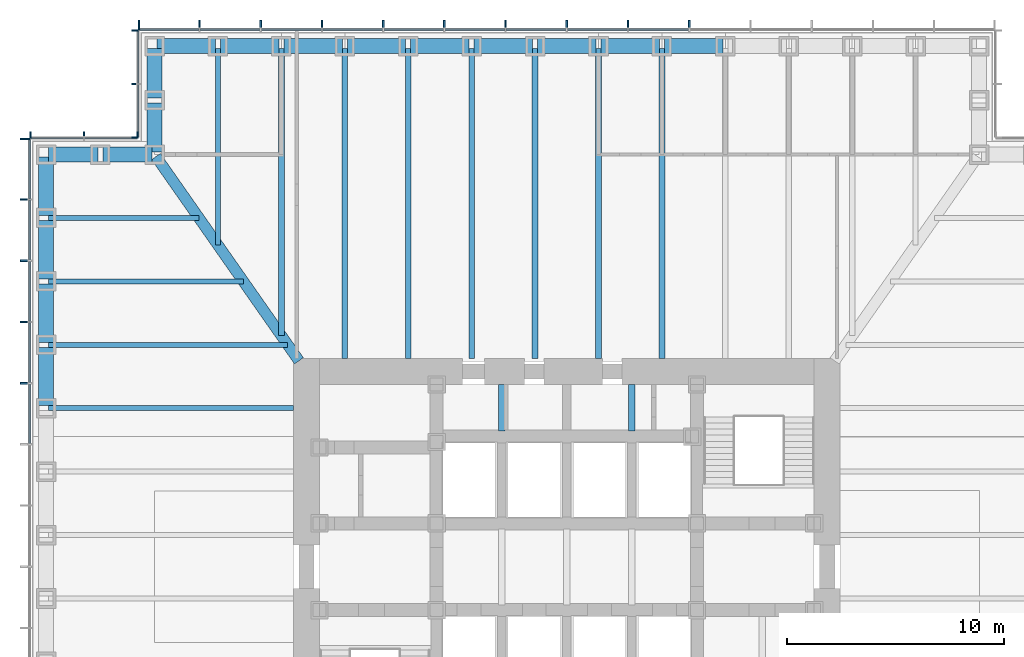
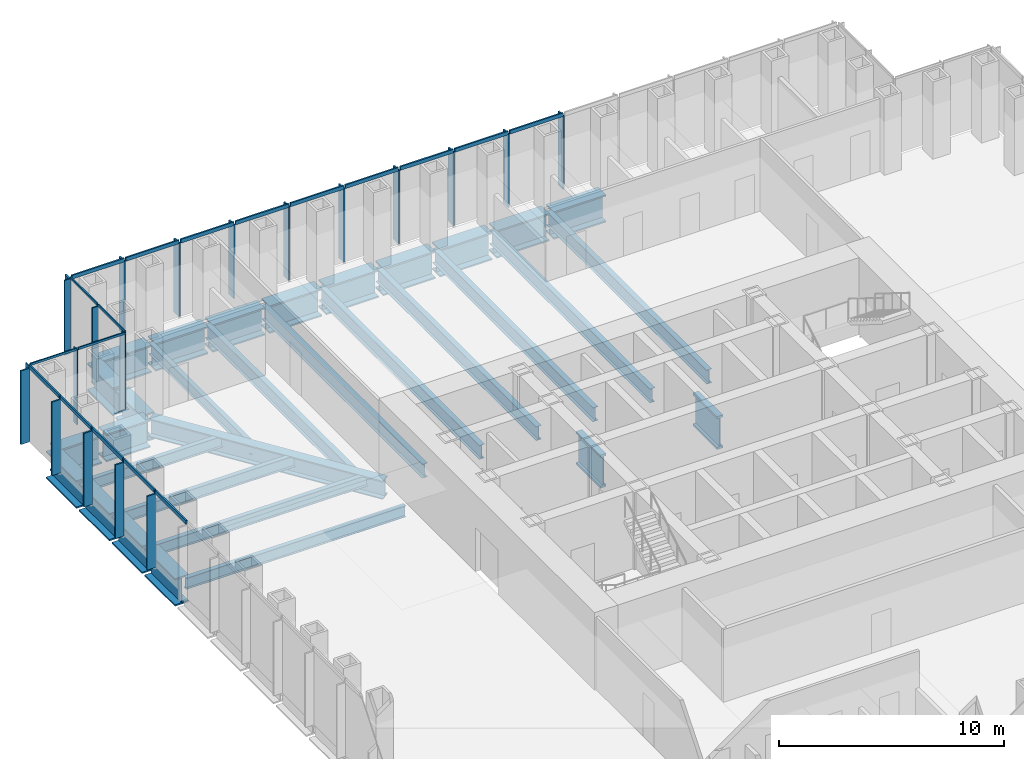
# One storey, part 5 of 17: 39 members, 32 beams, 4 elements without a shape of their own.
"""IFC4 building model written with IfcOpenShell, lengths in metres."""

from ifc_helpers import new_model, si_unit, direction, frame, origin, origin_2d, place, context, subcontext, project, spatial, rectangle, i_section, extrude, material, material_profile, profile_set, type_object, element, aggregate, save


model = new_model("IFC4")

# Units and contexts
model_context = context("Model", 3, precision=1e-05, world=origin(), true_north=direction((0.0, 1.0)))
body_context = subcontext(model_context, "Body", "Model", "MODEL_VIEW")
ifc_project = project(units=[si_unit("LENGTHUNIT", "METRE"), si_unit("AREAUNIT", "SQUARE_METRE"), si_unit("VOLUMEUNIT", "CUBIC_METRE"), si_unit("PLANEANGLEUNIT", "RADIAN"), si_unit("MASSUNIT", "GRAM", prefix="KILO")], contexts=[model_context])

# Site, building, storey
site_placement = place(None, origin())
site = spatial("IfcSite", under=ifc_project, at=site_placement, CompositionType="ELEMENT")
building_placement = place(site_placement, origin())
building = spatial("IfcBuilding", under=site, at=building_placement, Name="Daluyong Arena Tower", CompositionType="ELEMENT")
storey_placement = place(building_placement, frame((0.0, 0.0, 97.89990234375)))
storey = spatial("IfcBuildingStorey", under=building, at=storey_placement, Name="L21", CompositionType="ELEMENT", Elevation=97.89990234375)

# Curtain wall, members
ifc_material_1 = material(Name="Bronze anodised aluminium and glass", Category="aluminium")
curtain_wall_type_1 = type_object("IfcCurtainWallType", Name="Curtain wall CW1", PredefinedType="USERDEFINED", material=ifc_material_1)
curtain_wall_1_placement = place(storey_placement, origin())
curtain_wall_1 = element("IfcCurtainWall", 1, at=curtain_wall_1_placement, inside=storey, type_object=curtain_wall_type_1, Name="curtain wall L21 N", ObjectType="UNITISED CURTAIN WALL", PredefinedType="USERDEFINED")
ifc_material_2 = material(Name="Bronze anodised aluminium fin", Category="aluminium")
ifc_material_profile_1 = material_profile(ifc_material_2, rectangle(XDim=0.449951171875, YDim=0.080078125, at=origin_2d()))
ifc_profile_set_1 = profile_set([ifc_material_profile_1], Name="Bronze anodised aluminium fin")
member_type_1 = type_object("IfcMemberType", Name="CW1 bronze fin 450x80", PredefinedType="MULLION", material=ifc_profile_set_1)
member_1_placement = place(storey_placement, frame((61.642822265625, 104.97509765625, 0.0), z_axis=(0.0, 0.0, 1.0), x_axis=(0.0, -1.0, 0.0)))
member_1 = element("IfcMember", 2, at=member_1_placement, type_object=member_type_1, Name="curtain wall L21 N fin 6", PredefinedType="MULLION", context=body_context, shape_type="SweptSolid", body=[
    extrude(rectangle(XDim=0.449951171875, YDim=0.080078125, at=origin_2d()), origin(), (0.0, 0.0, 1.0), 4.0),
])
member_2_placement = place(storey_placement, frame((58.821533203125, 104.97509765625, 0.0), z_axis=(0.0, 0.0, 1.0), x_axis=(0.0, -1.0, 0.0)))
member_2 = element("IfcMember", 3, at=member_2_placement, type_object=member_type_1, Name="curtain wall L21 N fin 7", PredefinedType="MULLION", context=body_context, shape_type="SweptSolid", body=[
    extrude(rectangle(XDim=0.449951171875, YDim=0.080078125, at=origin_2d()), origin(), (0.0, 0.0, 1.0), 4.0),
])
member_3_placement = place(storey_placement, frame((56.0, 104.97509765625, 0.0), z_axis=(0.0, 0.0, 1.0), x_axis=(0.0, -1.0, 0.0)))
member_3 = element("IfcMember", 4, at=member_3_placement, type_object=member_type_1, Name="curtain wall L21 N fin 8", PredefinedType="MULLION", context=body_context, shape_type="SweptSolid", body=[
    extrude(rectangle(XDim=0.449951171875, YDim=0.080078125, at=origin_2d()), origin(), (0.0, 0.0, 1.0), 4.0),
])
member_4_placement = place(storey_placement, frame((53.178466796875, 104.97509765625, 0.0), z_axis=(0.0, 0.0, 1.0), x_axis=(0.0, -1.0, 0.0)))
member_4 = element("IfcMember", 5, at=member_4_placement, type_object=member_type_1, Name="curtain wall L21 N fin 9", PredefinedType="MULLION", context=body_context, shape_type="SweptSolid", body=[
    extrude(rectangle(XDim=0.449951171875, YDim=0.080078125, at=origin_2d()), origin(), (0.0, 0.0, 1.0), 4.0),
])
member_5_placement = place(storey_placement, frame((50.357177734375, 104.97509765625, 0.0), z_axis=(0.0, 0.0, 1.0), x_axis=(0.0, -1.0, 0.0)))
member_5 = element("IfcMember", 6, at=member_5_placement, type_object=member_type_1, Name="curtain wall L21 N fin 10", PredefinedType="MULLION", context=body_context, shape_type="SweptSolid", body=[
    extrude(rectangle(XDim=0.449951171875, YDim=0.080078125, at=origin_2d()), origin(), (0.0, 0.0, 1.0), 4.0),
])
member_6_placement = place(storey_placement, frame((47.53564453125, 104.97509765625, 0.0), z_axis=(0.0, 0.0, 1.0), x_axis=(0.0, -1.0, 0.0)))
member_6 = element("IfcMember", 7, at=member_6_placement, type_object=member_type_1, Name="curtain wall L21 N fin 11", PredefinedType="MULLION", context=body_context, shape_type="SweptSolid", body=[
    extrude(rectangle(XDim=0.449951171875, YDim=0.080078125, at=origin_2d()), origin(), (0.0, 0.0, 1.0), 4.0),
])
member_7_placement = place(storey_placement, frame((44.71435546875, 104.97509765625, 0.0), z_axis=(0.0, 0.0, 1.0), x_axis=(0.0, -1.0, 0.0)))
member_7 = element("IfcMember", 8, at=member_7_placement, type_object=member_type_1, Name="curtain wall L21 N fin 12", PredefinedType="MULLION", context=body_context, shape_type="SweptSolid", body=[
    extrude(rectangle(XDim=0.449951171875, YDim=0.080078125, at=origin_2d()), origin(), (0.0, 0.0, 1.0), 4.0),
])
member_8_placement = place(storey_placement, frame((41.892822265625, 104.97509765625, 0.0), z_axis=(0.0, 0.0, 1.0), x_axis=(0.0, -1.0, 0.0)))
member_8 = element("IfcMember", 9, at=member_8_placement, type_object=member_type_1, Name="curtain wall L21 N fin 13", PredefinedType="MULLION", context=body_context, shape_type="SweptSolid", body=[
    extrude(rectangle(XDim=0.449951171875, YDim=0.080078125, at=origin_2d()), origin(), (0.0, 0.0, 1.0), 4.0),
])
member_9_placement = place(storey_placement, frame((39.071533203125, 104.97509765625, 0.0), z_axis=(0.0, 0.0, 1.0), x_axis=(0.0, -1.0, 0.0)))
member_9 = element("IfcMember", 10, at=member_9_placement, type_object=member_type_1, Name="curtain wall L21 N fin 14", PredefinedType="MULLION", context=body_context, shape_type="SweptSolid", body=[
    extrude(rectangle(XDim=0.449951171875, YDim=0.080078125, at=origin_2d()), origin(), (0.0, 0.0, 1.0), 4.0),
])
member_10_placement = place(storey_placement, frame((36.2900390625, 104.97509765625, 0.0), z_axis=(0.0, 0.0, 1.0), x_axis=(0.0, -1.0, 0.0)))
member_10 = element("IfcMember", 11, at=member_10_placement, type_object=member_type_1, Name="curtain wall L21 N fin 15", PredefinedType="MULLION", context=body_context, shape_type="SweptSolid", body=[
    extrude(rectangle(XDim=0.449951171875, YDim=0.080078125, at=origin_2d()), origin(), (0.0, 0.0, 1.0), 4.0),
])

curtain_wall_2_placement = place(storey_placement, origin())
curtain_wall_2 = element("IfcCurtainWall", 12, at=curtain_wall_2_placement, inside=storey, type_object=curtain_wall_type_1, Name="curtain wall L21 W", ObjectType="UNITISED CURTAIN WALL", PredefinedType="USERDEFINED")
member_11_placement = place(storey_placement, frame((31.02490234375, 99.7099609375, 0.0), z_axis=(0.0, 0.0, 1.0), x_axis=(1.0, 0.0, 0.0)))
member_11 = element("IfcMember", 13, at=member_11_placement, type_object=member_type_1, Name="curtain wall L21 W fin 1", PredefinedType="MULLION", context=body_context, shape_type="SweptSolid", body=[
    extrude(rectangle(XDim=0.449951171875, YDim=0.080078125, at=origin_2d()), origin(), (0.0, 0.0, 1.0), 4.0),
])
member_12_placement = place(storey_placement, frame((31.02490234375, 96.928466796875, 0.0), z_axis=(0.0, 0.0, 1.0), x_axis=(1.0, 0.0, 0.0)))
member_12 = element("IfcMember", 14, at=member_12_placement, type_object=member_type_1, Name="curtain wall L21 W fin 2", PredefinedType="MULLION", context=body_context, shape_type="SweptSolid", body=[
    extrude(rectangle(XDim=0.449951171875, YDim=0.080078125, at=origin_2d()), origin(), (0.0, 0.0, 1.0), 4.0),
])
member_13_placement = place(storey_placement, frame((31.02490234375, 94.107177734375, 0.0), z_axis=(0.0, 0.0, 1.0), x_axis=(1.0, 0.0, 0.0)))
member_13 = element("IfcMember", 15, at=member_13_placement, type_object=member_type_1, Name="curtain wall L21 W fin 3", PredefinedType="MULLION", context=body_context, shape_type="SweptSolid", body=[
    extrude(rectangle(XDim=0.449951171875, YDim=0.080078125, at=origin_2d()), origin(), (0.0, 0.0, 1.0), 4.0),
])
member_14_placement = place(storey_placement, frame((31.02490234375, 91.28564453125, 0.0), z_axis=(0.0, 0.0, 1.0), x_axis=(1.0, 0.0, 0.0)))
member_14 = element("IfcMember", 16, at=member_14_placement, type_object=member_type_1, Name="curtain wall L21 W fin 4", PredefinedType="MULLION", context=body_context, shape_type="SweptSolid", body=[
    extrude(rectangle(XDim=0.449951171875, YDim=0.080078125, at=origin_2d()), origin(), (0.0, 0.0, 1.0), 4.0),
])
member_15_placement = place(storey_placement, frame((31.02490234375, 88.46435546875, 0.0), z_axis=(0.0, 0.0, 1.0), x_axis=(1.0, 0.0, 0.0)))
member_15 = element("IfcMember", 17, at=member_15_placement, type_object=member_type_1, Name="curtain wall L21 W fin 5", PredefinedType="MULLION", context=body_context, shape_type="SweptSolid", body=[
    extrude(rectangle(XDim=0.449951171875, YDim=0.080078125, at=origin_2d()), origin(), (0.0, 0.0, 1.0), 4.0),
])

# Member
ifc_material_3 = material(Name="Bronze anodised aluminium", Category="aluminium")
ifc_material_profile_2 = material_profile(ifc_material_3, rectangle(XDim=0.080078125, YDim=0.199951171875, at=origin_2d()))
ifc_profile_set_2 = profile_set([ifc_material_profile_2], Name="Bronze anodised aluminium")
member_type_2 = type_object("IfcMemberType", Name="CW1 stack transom 200x80", PredefinedType="USERDEFINED", material=ifc_profile_set_2)
member_16_placement = place(storey_placement, frame((61.602783203125, 104.75, 4.10009765625), z_axis=(-1.0, 0.0, 0.0), x_axis=(0.0, -1.0, 0.0)))
member_16 = element("IfcMember", 18, at=member_16_placement, type_object=member_type_2, Name="curtain wall L21 N transom 6", ObjectType="TRANSOM", PredefinedType="USERDEFINED", context=body_context, shape_type="SweptSolid", body=[
    extrude(rectangle(XDim=0.080078125, YDim=0.199951171875, at=origin_2d()), origin(), (0.0, 0.0, 1.0), 2.741455078125),
])

member_17_placement = place(storey_placement, frame((58.781494140625, 104.75, 4.10009765625), z_axis=(-1.0, 0.0, 0.0), x_axis=(0.0, -1.0, 0.0)))
member_17 = element("IfcMember", 19, at=member_17_placement, type_object=member_type_2, Name="curtain wall L21 N transom 7", ObjectType="TRANSOM", PredefinedType="USERDEFINED", context=body_context, shape_type="SweptSolid", body=[
    extrude(rectangle(XDim=0.080078125, YDim=0.199951171875, at=origin_2d()), origin(), (0.0, 0.0, 1.0), 2.741455078125),
])

member_18_placement = place(storey_placement, frame((55.9599609375, 104.75, 4.10009765625), z_axis=(-1.0, 0.0, 0.0), x_axis=(0.0, -1.0, 0.0)))
member_18 = element("IfcMember", 20, at=member_18_placement, type_object=member_type_2, Name="curtain wall L21 N transom 8", ObjectType="TRANSOM", PredefinedType="USERDEFINED", context=body_context, shape_type="SweptSolid", body=[
    extrude(rectangle(XDim=0.080078125, YDim=0.199951171875, at=origin_2d()), origin(), (0.0, 0.0, 1.0), 2.741455078125),
])

member_19_placement = place(storey_placement, frame((53.138671875, 104.75, 4.10009765625), z_axis=(-1.0, 0.0, 0.0), x_axis=(0.0, -1.0, 0.0)))
member_19 = element("IfcMember", 21, at=member_19_placement, type_object=member_type_2, Name="curtain wall L21 N transom 9", ObjectType="TRANSOM", PredefinedType="USERDEFINED", context=body_context, shape_type="SweptSolid", body=[
    extrude(rectangle(XDim=0.080078125, YDim=0.199951171875, at=origin_2d()), origin(), (0.0, 0.0, 1.0), 2.741455078125),
])

member_20_placement = place(storey_placement, frame((50.317138671875, 104.75, 4.10009765625), z_axis=(-1.0, 0.0, 0.0), x_axis=(0.0, -1.0, 0.0)))
member_20 = element("IfcMember", 22, at=member_20_placement, type_object=member_type_2, Name="curtain wall L21 N transom 10", ObjectType="TRANSOM", PredefinedType="USERDEFINED", context=body_context, shape_type="SweptSolid", body=[
    extrude(rectangle(XDim=0.080078125, YDim=0.199951171875, at=origin_2d()), origin(), (0.0, 0.0, 1.0), 2.741455078125),
])

member_21_placement = place(storey_placement, frame((47.49560546875, 104.75, 4.10009765625), z_axis=(-1.0, 0.0, 0.0), x_axis=(0.0, -1.0, 0.0)))
member_21 = element("IfcMember", 23, at=member_21_placement, type_object=member_type_2, Name="curtain wall L21 N transom 11", ObjectType="TRANSOM", PredefinedType="USERDEFINED", context=body_context, shape_type="SweptSolid", body=[
    extrude(rectangle(XDim=0.080078125, YDim=0.199951171875, at=origin_2d()), origin(), (0.0, 0.0, 1.0), 2.7412109375),
])

member_22_placement = place(storey_placement, frame((44.67431640625, 104.75, 4.10009765625), z_axis=(-1.0, 0.0, 0.0), x_axis=(0.0, -1.0, 0.0)))
member_22 = element("IfcMember", 24, at=member_22_placement, type_object=member_type_2, Name="curtain wall L21 N transom 12", ObjectType="TRANSOM", PredefinedType="USERDEFINED", context=body_context, shape_type="SweptSolid", body=[
    extrude(rectangle(XDim=0.080078125, YDim=0.199951171875, at=origin_2d()), origin(), (0.0, 0.0, 1.0), 2.741455078125),
])

member_23_placement = place(storey_placement, frame((41.852783203125, 104.75, 4.10009765625), z_axis=(-1.0, 0.0, 0.0), x_axis=(0.0, -1.0, 0.0)))
member_23 = element("IfcMember", 25, at=member_23_placement, type_object=member_type_2, Name="curtain wall L21 N transom 13", ObjectType="TRANSOM", PredefinedType="USERDEFINED", context=body_context, shape_type="SweptSolid", body=[
    extrude(rectangle(XDim=0.080078125, YDim=0.199951171875, at=origin_2d()), origin(), (0.0, 0.0, 1.0), 2.741455078125),
])

member_24_placement = place(storey_placement, frame((39.031494140625, 104.75, 4.10009765625), z_axis=(-1.0, 0.0, 0.0), x_axis=(0.0, -1.0, 0.0)))
member_24 = element("IfcMember", 26, at=member_24_placement, type_object=member_type_2, Name="curtain wall L21 N transom 14", ObjectType="TRANSOM", PredefinedType="USERDEFINED", context=body_context, shape_type="SweptSolid", body=[
    extrude(rectangle(XDim=0.080078125, YDim=0.199951171875, at=origin_2d()), origin(), (0.0, 0.0, 1.0), 2.701416015625),
])

aggregate(curtain_wall_1, [member_1, member_2, member_3, member_4, member_5, member_6, member_7, member_8, member_9, member_10, member_16, member_17, member_18, member_19, member_20, member_21, member_22, member_23, member_24])

member_25_placement = place(storey_placement, frame((31.25, 99.669921875, 4.10009765625), z_axis=(0.0, -1.0, 0.0), x_axis=(1.0, 0.0, 0.0)))
member_25 = element("IfcMember", 27, at=member_25_placement, type_object=member_type_2, Name="curtain wall L21 W transom 1", ObjectType="TRANSOM", PredefinedType="USERDEFINED", context=body_context, shape_type="SweptSolid", body=[
    extrude(rectangle(XDim=0.080078125, YDim=0.199951171875, at=origin_2d()), origin(), (0.0, 0.0, 1.0), 2.701416015625),
])

member_26_placement = place(storey_placement, frame((31.25, 96.888671875, 4.10009765625), z_axis=(0.0, -1.0, 0.0), x_axis=(1.0, 0.0, 0.0)))
member_26 = element("IfcMember", 28, at=member_26_placement, type_object=member_type_2, Name="curtain wall L21 W transom 2", ObjectType="TRANSOM", PredefinedType="USERDEFINED", context=body_context, shape_type="SweptSolid", body=[
    extrude(rectangle(XDim=0.080078125, YDim=0.199951171875, at=origin_2d()), origin(), (0.0, 0.0, 1.0), 2.741455078125),
])

member_27_placement = place(storey_placement, frame((31.25, 94.067138671875, 4.10009765625), z_axis=(0.0, -1.0, 0.0), x_axis=(1.0, 0.0, 0.0)))
member_27 = element("IfcMember", 29, at=member_27_placement, type_object=member_type_2, Name="curtain wall L21 W transom 3", ObjectType="TRANSOM", PredefinedType="USERDEFINED", context=body_context, shape_type="SweptSolid", body=[
    extrude(rectangle(XDim=0.080078125, YDim=0.199951171875, at=origin_2d()), origin(), (0.0, 0.0, 1.0), 2.741455078125),
])

member_28_placement = place(storey_placement, frame((31.25, 91.24560546875, 4.10009765625), z_axis=(0.0, -1.0, 0.0), x_axis=(1.0, 0.0, 0.0)))
member_28 = element("IfcMember", 30, at=member_28_placement, type_object=member_type_2, Name="curtain wall L21 W transom 4", ObjectType="TRANSOM", PredefinedType="USERDEFINED", context=body_context, shape_type="SweptSolid", body=[
    extrude(rectangle(XDim=0.080078125, YDim=0.199951171875, at=origin_2d()), origin(), (0.0, 0.0, 1.0), 2.7412109375),
])

member_29_placement = place(storey_placement, frame((31.25, 88.42431640625, 4.10009765625), z_axis=(0.0, -1.0, 0.0), x_axis=(1.0, 0.0, 0.0)))
member_29 = element("IfcMember", 31, at=member_29_placement, type_object=member_type_2, Name="curtain wall L21 W transom 5", ObjectType="TRANSOM", PredefinedType="USERDEFINED", context=body_context, shape_type="SweptSolid", body=[
    extrude(rectangle(XDim=0.080078125, YDim=0.199951171875, at=origin_2d()), origin(), (0.0, 0.0, 1.0), 2.741455078125),
])

aggregate(curtain_wall_2, [member_11, member_12, member_13, member_14, member_15, member_25, member_26, member_27, member_28, member_29])

# Curtain wall, members
ifc_material_4 = material(Name="Bronze anodised aluminium and glass", Category="aluminium")
curtain_wall_type_2 = type_object("IfcCurtainWallType", Name="Curtain wall CW7", PredefinedType="USERDEFINED", material=ifc_material_4)
curtain_wall_3_placement = place(storey_placement, origin())
curtain_wall_3 = element("IfcCurtainWall", 32, at=curtain_wall_3_placement, inside=storey, type_object=curtain_wall_type_2, Name="curtain wall L21 NW-W", ObjectType="UNITISED CURTAIN WALL", PredefinedType="USERDEFINED")
ifc_material_5 = material(Name="Bronze anodised aluminium fin", Category="aluminium")
ifc_material_profile_3 = material_profile(ifc_material_5, rectangle(XDim=0.300048828125, YDim=0.06005859375, at=origin_2d()))
ifc_profile_set_3 = profile_set([ifc_material_profile_3], Name="Bronze anodised aluminium fin")
member_type_3 = type_object("IfcMemberType", Name="CW7 bronze fin 300x60", PredefinedType="MULLION", material=ifc_profile_set_3)
member_30_placement = place(storey_placement, frame((36.10009765625, 104.719970703125, 0.0), z_axis=(0.0, 0.0, 1.0), x_axis=(1.0, 0.0, 0.0)))
member_30 = element("IfcMember", 33, at=member_30_placement, type_object=member_type_3, Name="curtain wall L21 NW-W fin 1", PredefinedType="MULLION", context=body_context, shape_type="SweptSolid", body=[
    extrude(rectangle(XDim=0.300048828125, YDim=0.06005859375, at=origin_2d()), origin(), (0.0, 0.0, 1.0), 4.080078125),
])
member_31_placement = place(storey_placement, frame((36.10009765625, 102.25, 0.0), z_axis=(0.0, 0.0, 1.0), x_axis=(1.0, 0.0, 0.0)))
member_31 = element("IfcMember", 34, at=member_31_placement, type_object=member_type_3, Name="curtain wall L21 NW-W fin 2", PredefinedType="MULLION", context=body_context, shape_type="SweptSolid", body=[
    extrude(rectangle(XDim=0.300048828125, YDim=0.06005859375, at=origin_2d()), origin(), (0.0, 0.0, 1.0), 4.080078125),
])
member_32_placement = place(storey_placement, frame((36.10009765625, 99.780029296875, 0.0), z_axis=(0.0, 0.0, 1.0), x_axis=(1.0, 0.0, 0.0)))
member_32 = element("IfcMember", 35, at=member_32_placement, type_object=member_type_3, Name="curtain wall L21 NW-W fin 3", PredefinedType="MULLION", context=body_context, shape_type="SweptSolid", body=[
    extrude(rectangle(XDim=0.300048828125, YDim=0.06005859375, at=origin_2d()), origin(), (0.0, 0.0, 1.0), 4.080078125),
])

curtain_wall_4_placement = place(storey_placement, origin())
curtain_wall_4 = element("IfcCurtainWall", 36, at=curtain_wall_4_placement, inside=storey, type_object=curtain_wall_type_2, Name="curtain wall L21 NW-N", ObjectType="UNITISED CURTAIN WALL", PredefinedType="USERDEFINED")
member_33_placement = place(storey_placement, frame((36.219970703125, 99.89990234375, 0.0), z_axis=(0.0, 0.0, 1.0), x_axis=(0.0, -1.0, 0.0)))
member_33 = element("IfcMember", 37, at=member_33_placement, type_object=member_type_3, Name="curtain wall L21 NW-N fin 1", PredefinedType="MULLION", context=body_context, shape_type="SweptSolid", body=[
    extrude(rectangle(XDim=0.300048828125, YDim=0.06005859375, at=origin_2d()), origin(), (0.0, 0.0, 1.0), 4.080078125),
])
member_34_placement = place(storey_placement, frame((33.75, 99.89990234375, 0.0), z_axis=(0.0, 0.0, 1.0), x_axis=(0.0, -1.0, 0.0)))
member_34 = element("IfcMember", 38, at=member_34_placement, type_object=member_type_3, Name="curtain wall L21 NW-N fin 2", PredefinedType="MULLION", context=body_context, shape_type="SweptSolid", body=[
    extrude(rectangle(XDim=0.300048828125, YDim=0.06005859375, at=origin_2d()), origin(), (0.0, 0.0, 1.0), 4.080078125),
])
member_35_placement = place(storey_placement, frame((31.280029296875, 99.89990234375, 0.0), z_axis=(0.0, 0.0, 1.0), x_axis=(0.0, -1.0, 0.0)))
member_35 = element("IfcMember", 39, at=member_35_placement, type_object=member_type_3, Name="curtain wall L21 NW-N fin 3", PredefinedType="MULLION", context=body_context, shape_type="SweptSolid", body=[
    extrude(rectangle(XDim=0.300048828125, YDim=0.06005859375, at=origin_2d()), origin(), (0.0, 0.0, 1.0), 4.080078125),
])

# Member
ifc_material_6 = material(Name="Bronze anodised aluminium", Category="aluminium")
ifc_material_profile_4 = material_profile(ifc_material_6, rectangle(XDim=0.06005859375, YDim=0.1201171875, at=origin_2d()))
ifc_profile_set_4 = profile_set([ifc_material_profile_4], Name="Bronze anodised aluminium")
member_type_4 = type_object("IfcMemberType", Name="CW7 stack transom 120x60", PredefinedType="USERDEFINED", material=ifc_profile_set_4)
member_36_placement = place(storey_placement, frame((36.25, 104.68994140625, 4.14013671875), z_axis=(0.0, -1.0, 0.0), x_axis=(1.0, 0.0, 0.0)))
member_36 = element("IfcMember", 40, at=member_36_placement, type_object=member_type_4, Name="curtain wall L21 NW-W transom 1", ObjectType="TRANSOM", PredefinedType="USERDEFINED", context=body_context, shape_type="SweptSolid", body=[
    extrude(rectangle(XDim=0.06005859375, YDim=0.1201171875, at=origin_2d()), origin(), (0.0, 0.0, 1.0), 2.409912109375),
])

member_37_placement = place(storey_placement, frame((36.25, 102.219970703125, 4.14013671875), z_axis=(0.0, -1.0, 0.0), x_axis=(1.0, 0.0, 0.0)))
member_37 = element("IfcMember", 41, at=member_37_placement, type_object=member_type_4, Name="curtain wall L21 NW-W transom 2", ObjectType="TRANSOM", PredefinedType="USERDEFINED", context=body_context, shape_type="SweptSolid", body=[
    extrude(rectangle(XDim=0.06005859375, YDim=0.1201171875, at=origin_2d()), origin(), (0.0, 0.0, 1.0), 2.409912109375),
])

aggregate(curtain_wall_3, [member_30, member_31, member_32, member_36, member_37])

member_38_placement = place(storey_placement, frame((36.18994140625, 99.75, 4.14013671875), z_axis=(-1.0, 0.0, 0.0), x_axis=(0.0, -1.0, 0.0)))
member_38 = element("IfcMember", 42, at=member_38_placement, type_object=member_type_4, Name="curtain wall L21 NW-N transom 1", ObjectType="TRANSOM", PredefinedType="USERDEFINED", context=body_context, shape_type="SweptSolid", body=[
    extrude(rectangle(XDim=0.06005859375, YDim=0.1201171875, at=origin_2d()), origin(), (0.0, 0.0, 1.0), 2.409912109375),
])

member_39_placement = place(storey_placement, frame((33.719970703125, 99.75, 4.14013671875), z_axis=(-1.0, 0.0, 0.0), x_axis=(0.0, -1.0, 0.0)))
member_39 = element("IfcMember", 43, at=member_39_placement, type_object=member_type_4, Name="curtain wall L21 NW-N transom 2", ObjectType="TRANSOM", PredefinedType="USERDEFINED", context=body_context, shape_type="SweptSolid", body=[
    extrude(rectangle(XDim=0.06005859375, YDim=0.1201171875, at=origin_2d()), origin(), (0.0, 0.0, 1.0), 2.409912109375),
])

aggregate(curtain_wall_4, [member_33, member_34, member_35, member_38, member_39])

# Beams
ifc_material_7 = material(Name="Steel ASTM A572 Grade 50", Category="steel")
ifc_material_profile_5 = material_profile(ifc_material_7, i_section(OverallWidth=0.5, OverallDepth=1.0, WebThickness=0.03, FlangeThickness=0.06, at=origin_2d()))
ifc_profile_set_5 = profile_set([ifc_material_profile_5], Name="Steel ASTM A572 Grade 50")
beam_type_1 = type_object("IfcBeamType", Name="Corner girder TB1000X500", PredefinedType="BEAM", material=ifc_profile_set_5)
beam_1_placement = place(storey_placement, frame((37.06591796875, 98.90576171875, -0.659912109375), z_axis=(0.573466621875, -0.819228926244, 0.0), x_axis=(0.819228926244, 0.573466621875, 0.0)))
element("IfcBeam", 44, at=beam_1_placement, inside=storey, type_object=beam_type_1, Name="corner girder DG2", PredefinedType="BEAM", context=body_context, shape_type="SweptSolid", body=[
    extrude(i_section(OverallWidth=0.5, OverallDepth=1.0, WebThickness=0.03, FlangeThickness=0.06, at=origin_2d()), origin(), (0.0, 0.0, 1.0), 11.49169921875),
])
ifc_material_8 = material(Name="Steel ASTM A992 Grade 50", Category="steel")
ifc_material_profile_6 = material_profile(ifc_material_8, i_section(OverallWidth=0.22900390625, OverallDepth=0.612060546875, WebThickness=0.011962890625, FlangeThickness=0.01953125, at=origin_2d()))
ifc_profile_set_6 = profile_set([ifc_material_profile_6], Name="Steel ASTM A992 Grade 50")
beam_type_2 = type_object("IfcBeamType", Name="Floor beam W24X84", PredefinedType="BEAM", material=ifc_profile_set_6)
beam_2_placement = place(storey_placement, frame((39.923095703125, 103.885009765625, -0.466064453125), z_axis=(0.0, -1.0, 0.0), x_axis=(1.0, 0.0, 0.0)))
element("IfcBeam", 45, at=beam_2_placement, inside=storey, type_object=beam_type_2, Name="floor beam FB3", PredefinedType="BEAM", context=body_context, shape_type="SweptSolid", body=[
    extrude(i_section(OverallWidth=0.22900390625, OverallDepth=0.612060546875, WebThickness=0.011962890625, FlangeThickness=0.01953125, at=origin_2d()), origin(), (0.0, 0.0, 1.0), 9.060791015625),
])
beam_3_placement = place(storey_placement, frame((32.114990234375, 96.076904296875, -0.466064453125), z_axis=(1.0, 0.0, 0.0), x_axis=(0.0, 1.0, 0.0)))
element("IfcBeam", 46, at=beam_3_placement, inside=storey, type_object=beam_type_2, Name="floor beam FB3", PredefinedType="BEAM", context=body_context, shape_type="SweptSolid", body=[
    extrude(i_section(OverallWidth=0.22900390625, OverallDepth=0.612060546875, WebThickness=0.011962890625, FlangeThickness=0.01953125, at=origin_2d()), origin(), (0.0, 0.0, 1.0), 6.93115234375),
])
beam_4_placement = place(storey_placement, frame((32.114990234375, 93.15380859375, -0.466064453125), z_axis=(1.0, 0.0, 0.0), x_axis=(0.0, 1.0, 0.0)))
element("IfcBeam", 47, at=beam_4_placement, inside=storey, type_object=beam_type_2, Name="floor beam FB3", PredefinedType="BEAM", context=body_context, shape_type="SweptSolid", body=[
    extrude(i_section(OverallWidth=0.22900390625, OverallDepth=0.612060546875, WebThickness=0.011962890625, FlangeThickness=0.01953125, at=origin_2d()), origin(), (0.0, 0.0, 1.0), 8.977294921875),
])
beam_5_placement = place(storey_placement, frame((32.114990234375, 90.230712890625, -0.466064453125), z_axis=(1.0, 0.0, 0.0), x_axis=(0.0, 1.0, 0.0)))
element("IfcBeam", 48, at=beam_5_placement, inside=storey, type_object=beam_type_2, Name="floor beam FB3", PredefinedType="BEAM", context=body_context, shape_type="SweptSolid", body=[
    extrude(i_section(OverallWidth=0.22900390625, OverallDepth=0.612060546875, WebThickness=0.011962890625, FlangeThickness=0.01953125, at=origin_2d()), origin(), (0.0, 0.0, 1.0), 11.0234375),
])
beam_6_placement = place(storey_placement, frame((32.114990234375, 87.3076171875, -0.466064453125), z_axis=(1.0, 0.0, 0.0), x_axis=(0.0, 1.0, 0.0)))
element("IfcBeam", 49, at=beam_6_placement, inside=storey, type_object=beam_type_2, Name="floor beam FB3", PredefinedType="BEAM", context=body_context, shape_type="SweptSolid", body=[
    extrude(i_section(OverallWidth=0.22900390625, OverallDepth=0.612060546875, WebThickness=0.011962890625, FlangeThickness=0.01953125, at=origin_2d()), origin(), (0.0, 0.0, 1.0), 11.284912109375),
])
ifc_material_9 = material(Name="Steel ASTM A992 Grade 50", Category="steel")
ifc_material_profile_7 = material_profile(ifc_material_9, i_section(OverallWidth=0.2666015625, OverallDepth=0.761962890625, WebThickness=0.014404296875, FlangeThickness=0.021484375, at=origin_2d()))
ifc_profile_set_7 = profile_set([ifc_material_profile_7], Name="Steel ASTM A992 Grade 50")
beam_type_3 = type_object("IfcBeamType", Name="Floor beam W30X116", PredefinedType="BEAM", material=ifc_profile_set_7)
for number, where, z_axis, x_axis, name in (
    (50, (60.384521484375, 103.885009765625, -0.541015625), (0.0, -1.0, 0.0), (1.0, 0.0, 0.0), "floor beam FB4"),
    (51, (57.46142578125, 103.885009765625, -0.541015625), (0.0, -1.0, 0.0), (1.0, 0.0, 0.0), "floor beam FB4"),
    (52, (54.53857421875, 103.885009765625, -0.541015625), (0.0, -1.0, 0.0), (1.0, 0.0, 0.0), "floor beam FB4"),
    (53, (51.615478515625, 103.885009765625, -0.541015625), (0.0, -1.0, 0.0), (1.0, 0.0, 0.0), "floor beam FB4"),
    (54, (48.6923828125, 103.885009765625, -0.541015625), (0.0, -1.0, 0.0), (1.0, 0.0, 0.0), "floor beam FB4"),
    (55, (45.769287109375, 103.885009765625, -0.541015625), (0.0, -1.0, 0.0), (1.0, 0.0, 0.0), "floor beam FB4"),
):
    element("IfcBeam", number, at=place(storey_placement, frame(where, z_axis=z_axis, x_axis=x_axis)), inside=storey, type_object=beam_type_3, Name=name, PredefinedType="BEAM", context=body_context, shape_type="SweptSolid", body=[
        extrude(i_section(OverallWidth=0.2666015625, OverallDepth=0.761962890625, WebThickness=0.014404296875, FlangeThickness=0.021484375, at=origin_2d()), origin(), (0.0, 0.0, 1.0), 14.284912109375),
    ])
beam_7_placement = place(storey_placement, frame((42.84619140625, 103.885009765625, -0.541015625), z_axis=(0.0, -1.0, 0.0), x_axis=(1.0, 0.0, 0.0)))
element("IfcBeam", 56, at=beam_7_placement, inside=storey, type_object=beam_type_3, Name="floor beam FB4", PredefinedType="BEAM", context=body_context, shape_type="SweptSolid", body=[
    extrude(i_section(OverallWidth=0.2666015625, OverallDepth=0.761962890625, WebThickness=0.014404296875, FlangeThickness=0.021484375, at=origin_2d()), origin(), (0.0, 0.0, 1.0), 13.236572265625),
])
ifc_material_10 = material(Name="Steel ASTM A588 Grade 50", Category="steel")
ifc_material_profile_8 = material_profile(ifc_material_10, i_section(OverallWidth=0.300048828125, OverallDepth=1.800048828125, WebThickness=0.05, FlangeThickness=0.12, at=origin_2d()))
ifc_profile_set_8 = profile_set([ifc_material_profile_8], Name="Steel ASTM A588 Grade 50")
beam_type_4 = type_object("IfcBeamType", Name="Lift divider beam PG1800X300", PredefinedType="BEAM", material=ifc_profile_set_8)
for number, where, z_axis, x_axis, name in (
    (57, (53.0, 86.25, -1.059814453125), (0.0, 1.0, 0.0), (-1.0, 0.0, 0.0), "lift divider beam DB3"),
    (58, (59.0, 86.25, -1.059814453125), (0.0, 1.0, 0.0), (-1.0, 0.0, 0.0), "lift divider beam DB3"),
):
    element("IfcBeam", number, at=place(storey_placement, frame(where, z_axis=z_axis, x_axis=x_axis)), inside=storey, type_object=beam_type_4, Name=name, PredefinedType="BEAM", context=body_context, shape_type="SweptSolid", body=[
        extrude(i_section(OverallWidth=0.300048828125, OverallDepth=1.800048828125, WebThickness=0.05, FlangeThickness=0.12, at=origin_2d()), origin(), (0.0, 0.0, 1.0), 2.14990234375),
    ])
ifc_material_11 = material(Name="Steel ASTM A572 Grade 50", Category="steel")
ifc_material_profile_9 = material_profile(ifc_material_11, i_section(OverallWidth=0.699951171875, OverallDepth=1.5, WebThickness=0.04, FlangeThickness=0.08, at=origin_2d()))
ifc_profile_set_9 = profile_set([ifc_material_profile_9], Name="Steel ASTM A572 Grade 50")
beam_type_5 = type_object("IfcBeamType", Name="Spandrel Z1 PG1500X700", PredefinedType="SPANDREL", material=ifc_profile_set_9)
for number, where, z_axis, x_axis, name in (
    (59, (63.192626953125, 104.0, -0.909912109375), (-1.0, 0.0, 0.0), (0.0, -1.0, 0.0), "spandrel z1 SB4"),
    (60, (60.26953125, 104.0, -0.909912109375), (-1.0, 0.0, 0.0), (0.0, -1.0, 0.0), "spandrel z1 SB4"),
):
    element("IfcBeam", number, at=place(storey_placement, frame(where, z_axis=z_axis, x_axis=x_axis)), inside=storey, type_object=beam_type_5, Name=name, PredefinedType="SPANDREL", context=body_context, shape_type="SweptSolid", body=[
        extrude(i_section(OverallWidth=0.699951171875, OverallDepth=1.5, WebThickness=0.04, FlangeThickness=0.08, at=origin_2d()), origin(), (0.0, 0.0, 1.0), 2.693115234375),
    ])
beam_8_placement = place(storey_placement, frame((57.346435546875, 104.0, -0.909912109375), z_axis=(-1.0, 0.0, 0.0), x_axis=(0.0, -1.0, 0.0)))
element("IfcBeam", 61, at=beam_8_placement, inside=storey, type_object=beam_type_5, Name="spandrel z1 SB4", PredefinedType="SPANDREL", context=body_context, shape_type="SweptSolid", body=[
    extrude(i_section(OverallWidth=0.699951171875, OverallDepth=1.5, WebThickness=0.04, FlangeThickness=0.08, at=origin_2d()), origin(), (0.0, 0.0, 1.0), 2.69287109375),
])
for number, where, z_axis, x_axis, name in (
    (62, (54.423583984375, 104.0, -0.909912109375), (-1.0, 0.0, 0.0), (0.0, -1.0, 0.0), "spandrel z1 SB4"),
    (63, (51.50048828125, 104.0, -0.909912109375), (-1.0, 0.0, 0.0), (0.0, -1.0, 0.0), "spandrel z1 SB4"),
    (64, (48.577392578125, 104.0, -0.909912109375), (-1.0, 0.0, 0.0), (0.0, -1.0, 0.0), "spandrel z1 SB4"),
    (65, (45.654296875, 104.0, -0.909912109375), (-1.0, 0.0, 0.0), (0.0, -1.0, 0.0), "spandrel z1 SB4"),
    (66, (42.731201171875, 104.0, -0.909912109375), (-1.0, 0.0, 0.0), (0.0, -1.0, 0.0), "spandrel z1 SB4"),
    (67, (39.80810546875, 104.0, -0.909912109375), (-1.0, 0.0, 0.0), (0.0, -1.0, 0.0), "spandrel z1 SB4"),
):
    element("IfcBeam", number, at=place(storey_placement, frame(where, z_axis=z_axis, x_axis=x_axis)), inside=storey, type_object=beam_type_5, Name=name, PredefinedType="SPANDREL", context=body_context, shape_type="SweptSolid", body=[
        extrude(i_section(OverallWidth=0.699951171875, OverallDepth=1.5, WebThickness=0.04, FlangeThickness=0.08, at=origin_2d()), origin(), (0.0, 0.0, 1.0), 2.693115234375),
    ])
for number, where, z_axis, x_axis, name in (
    (68, (37.0, 103.885009765625, -0.909912109375), (0.0, -1.0, 0.0), (1.0, 0.0, 0.0), "spandrel z1 SB4"),
    (69, (37.0, 101.385009765625, -0.909912109375), (0.0, -1.0, 0.0), (1.0, 0.0, 0.0), "spandrel z1 SB4"),
    (70, (36.885009765625, 99.0, -0.909912109375), (-1.0, 0.0, 0.0), (0.0, -1.0, 0.0), "spandrel z1 SB4"),
    (71, (34.385009765625, 99.0, -0.909912109375), (-1.0, 0.0, 0.0), (0.0, -1.0, 0.0), "spandrel z1 SB4"),
):
    element("IfcBeam", number, at=place(storey_placement, frame(where, z_axis=z_axis, x_axis=x_axis)), inside=storey, type_object=beam_type_5, Name=name, PredefinedType="SPANDREL", context=body_context, shape_type="SweptSolid", body=[
        extrude(i_section(OverallWidth=0.699951171875, OverallDepth=1.5, WebThickness=0.04, FlangeThickness=0.08, at=origin_2d()), origin(), (0.0, 0.0, 1.0), 2.27001953125),
    ])
for number, where, z_axis, x_axis, name in (
    (72, (32.0, 98.885009765625, -0.909912109375), (0.0, -1.0, 0.0), (1.0, 0.0, 0.0), "spandrel z1 SB4"),
    (73, (32.0, 95.9619140625, -0.909912109375), (0.0, -1.0, 0.0), (1.0, 0.0, 0.0), "spandrel z1 SB4"),
    (74, (32.0, 93.038818359375, -0.909912109375), (0.0, -1.0, 0.0), (1.0, 0.0, 0.0), "spandrel z1 SB4"),
    (75, (32.0, 90.11572265625, -0.909912109375), (0.0, -1.0, 0.0), (1.0, 0.0, 0.0), "spandrel z1 SB4"),
):
    element("IfcBeam", number, at=place(storey_placement, frame(where, z_axis=z_axis, x_axis=x_axis)), inside=storey, type_object=beam_type_5, Name=name, PredefinedType="SPANDREL", context=body_context, shape_type="SweptSolid", body=[
        extrude(i_section(OverallWidth=0.699951171875, OverallDepth=1.5, WebThickness=0.04, FlangeThickness=0.08, at=origin_2d()), origin(), (0.0, 0.0, 1.0), 2.693115234375),
    ])

save(model, "model.ifc")
